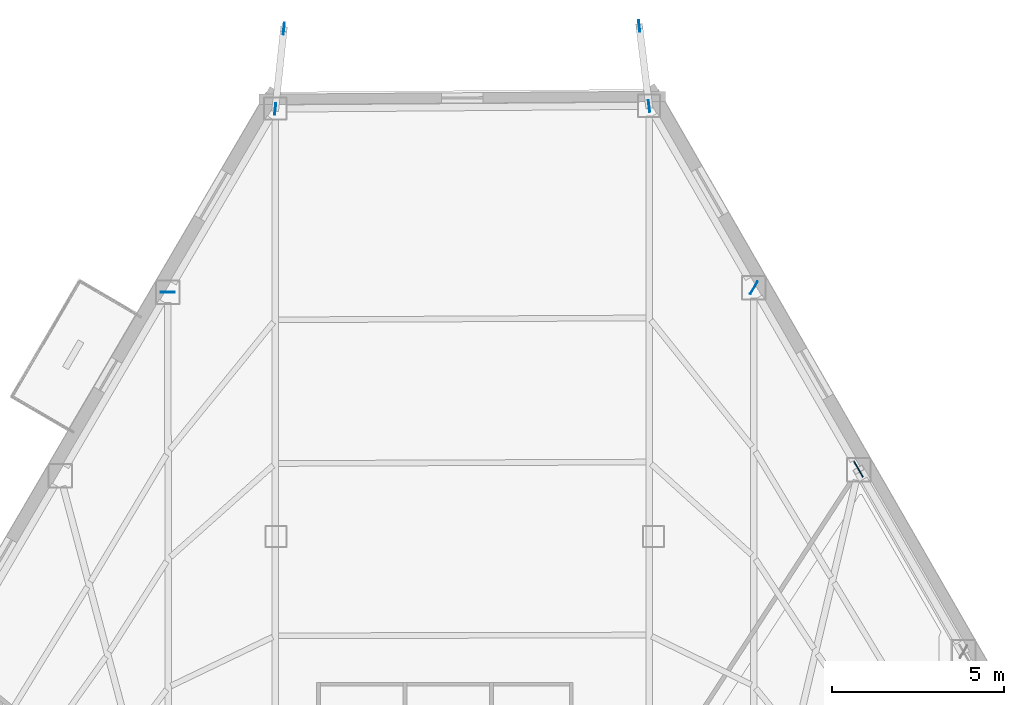
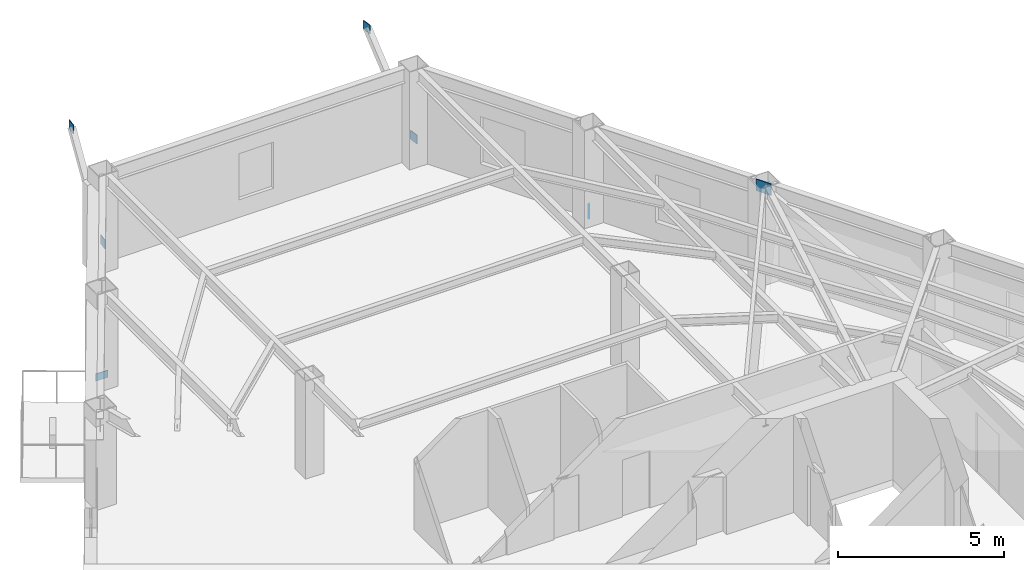
# One storey, part 7 of 12: 7 plates.
"""IFC4 building model written with IfcOpenShell, lengths in metres."""

from ifc_helpers import new_model, si_unit, direction, frame, origin, origin_2d, place, context, subcontext, project, spatial, rectangle, extrude, material, layer, layer_set, type_object, element, save


model = new_model("IFC4")

# Units and contexts
model_context = context("Model", 3, precision=1e-05, world=origin(), true_north=direction((0.0, 1.0)))
body_context = subcontext(model_context, "Body", "Model", "MODEL_VIEW")
ifc_project = project(units=[si_unit("LENGTHUNIT", "METRE"), si_unit("AREAUNIT", "SQUARE_METRE"), si_unit("VOLUMEUNIT", "CUBIC_METRE"), si_unit("PLANEANGLEUNIT", "RADIAN"), si_unit("MASSUNIT", "GRAM", prefix="KILO")], contexts=[model_context])

# Site, building, storey
site_placement = place(None, origin())
site = spatial("IfcSite", under=ifc_project, at=site_placement, CompositionType="ELEMENT")
building_placement = place(site_placement, origin())
building = spatial("IfcBuilding", under=site, at=building_placement, Name="Kavelnor Concourse Tower", CompositionType="ELEMENT")
storey_placement = place(building_placement, frame((0.0, 0.0, 143.25)))
storey = spatial("IfcBuildingStorey", under=building, at=storey_placement, Name="L36", CompositionType="ELEMENT", Elevation=143.25)

# Plates
ifc_material = material(Name="Steel Grade 350", Category="steel")
ifc_layer_1 = layer(ifc_material, 0.028076171875, Name="Steel Grade 350")
ifc_layer_set_1 = layer_set([ifc_layer_1], Name="Steel Grade 350")
plate_type_1 = type_object("IfcPlateType", Name="PL-GUSSET-FOLD", PredefinedType="USERDEFINED", material=ifc_layer_set_1)
for number, where, z_axis, x_axis, name in (
    (1, (43.368408203125, 44.330078125, 0.73974609375), (0.0, 0.0, 1.0), (-0.121696109567, 0.992567406737, 0.0), "L36 Terrace Strut Gusset GP4 C0-A End Gusset A"),
    (2, (43.08154296875, 46.66943359375, 3.47509765625), (0.0, 0.0, 1.0), (-0.121696109567, 0.992567406737, 0.0), "L36 Terrace Strut Gusset GP4 C0-A End Gusset B"),
    (3, (32.486083984375, 44.25, 0.73974609375), (0.0, 0.0, 1.0), (0.106264071336, 0.994337944133, 0.0), "L36 Terrace Strut Gusset GP4 C0-B End Gusset A"),
    (4, (32.735595703125, 46.5859375, 3.47509765625), (0.0, 0.0, 1.0), (0.106264071336, 0.994337944133, 0.0), "L36 Terrace Strut Gusset GP4 C0-B End Gusset B"),
):
    element("IfcPlate", number, at=place(storey_placement, frame(where, z_axis=z_axis, x_axis=x_axis)), inside=storey, type_object=plate_type_1, Name=name, ObjectType="GUSSET_PLATE", PredefinedType="USERDEFINED", context=body_context, shape_type="SweptSolid", body=[
        extrude(rectangle(XDim=0.340087890625, YDim=0.028076171875, at=origin_2d()), origin(), (0.0, 0.0, 1.0), 0.320068359375),
    ])
ifc_layer_2 = layer(ifc_material, 0.031982421875, Name="Steel Grade 350")
ifc_layer_set_2 = layer_set([ifc_layer_2], Name="Steel Grade 350")
plate_type_2 = type_object("IfcPlateType", Name="PL-GUSSET-TUBE-Z1", PredefinedType="USERDEFINED", material=ifc_layer_set_2)
plate_placement = place(storey_placement, frame((49.464111328125, 33.755859375, 3.12353515625), z_axis=(0.0, 0.0, 1.0), x_axis=(-0.499092826328, 0.866548527613, 0.0)))
element("IfcPlate", 5, at=plate_placement, inside=storey, type_object=plate_type_2, Name="L36 Tube Brace Gusset GP3 F2-B3 End Gusset B", ObjectType="GUSSET_PLATE", PredefinedType="USERDEFINED", context=body_context, shape_type="SweptSolid", body=[
    extrude(rectangle(XDim=0.52001953125, YDim=0.031982421875, at=origin_2d()), origin(), (0.0, 0.0, 1.0), 0.419921875),
])
ifc_layer_3 = layer(ifc_material, 0.02490234375, Name="Steel Grade 350")
ifc_layer_set_3 = layer_set([ifc_layer_3], Name="Steel Grade 350")
plate_type_3 = type_object("IfcPlateType", Name="PL-SPLICE-FLANGE", PredefinedType="SHEET", material=ifc_layer_set_3)
for number, where, z_axis, x_axis, name in (
    (6, (29.355712890625, 38.916015625, 0.169921875), (0.0, 0.0, 1.0), (1.0, 0.0, 0.0), "L36 Column Flange Splice Plate F0-B1"),
    (7, (46.41845703125, 39.043701171875, 0.169921875), (0.0, 0.0, 1.0), (-0.5, -0.866025403784, 0.0), "L36 Column Flange Splice Plate F2-B5"),
):
    element("IfcPlate", number, at=place(storey_placement, frame(where, z_axis=z_axis, x_axis=x_axis)), inside=storey, type_object=plate_type_3, Name=name, PredefinedType="SHEET", context=body_context, shape_type="SweptSolid", body=[
        extrude(rectangle(XDim=0.419921875, YDim=0.02490234375, at=origin_2d()), origin(), (0.0, 0.0, 1.0), 0.260009765625),
    ])

save(model, "model.ifc")
